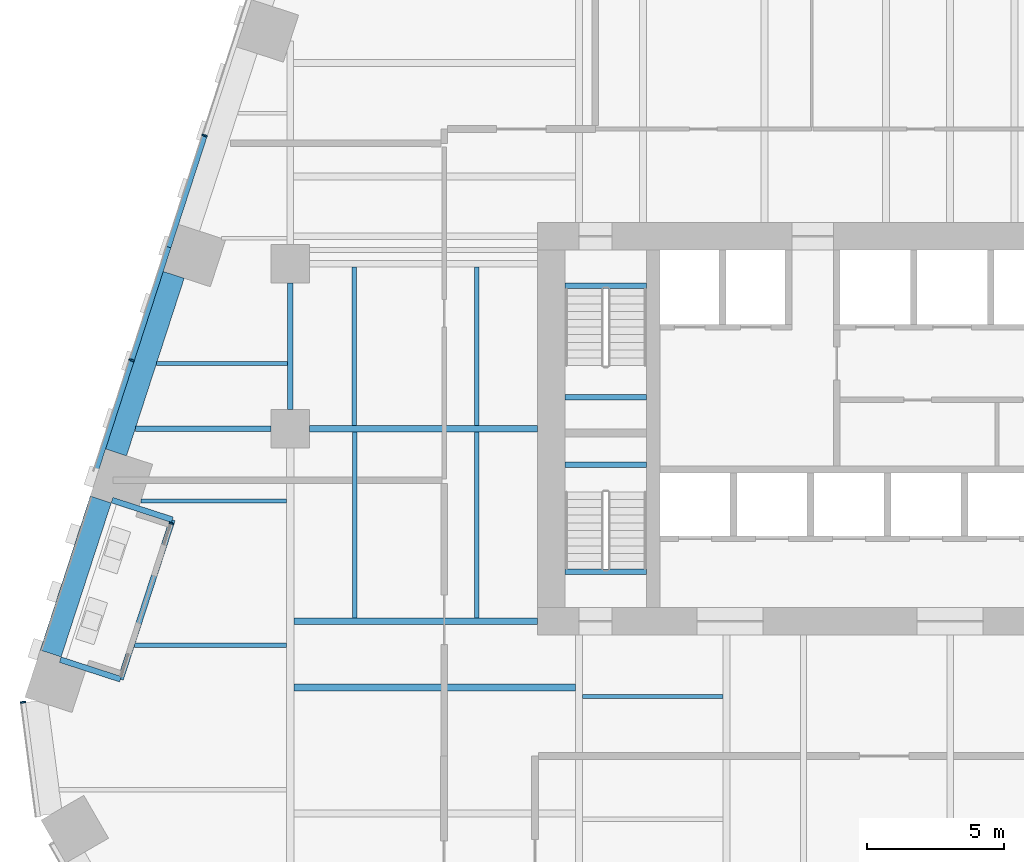
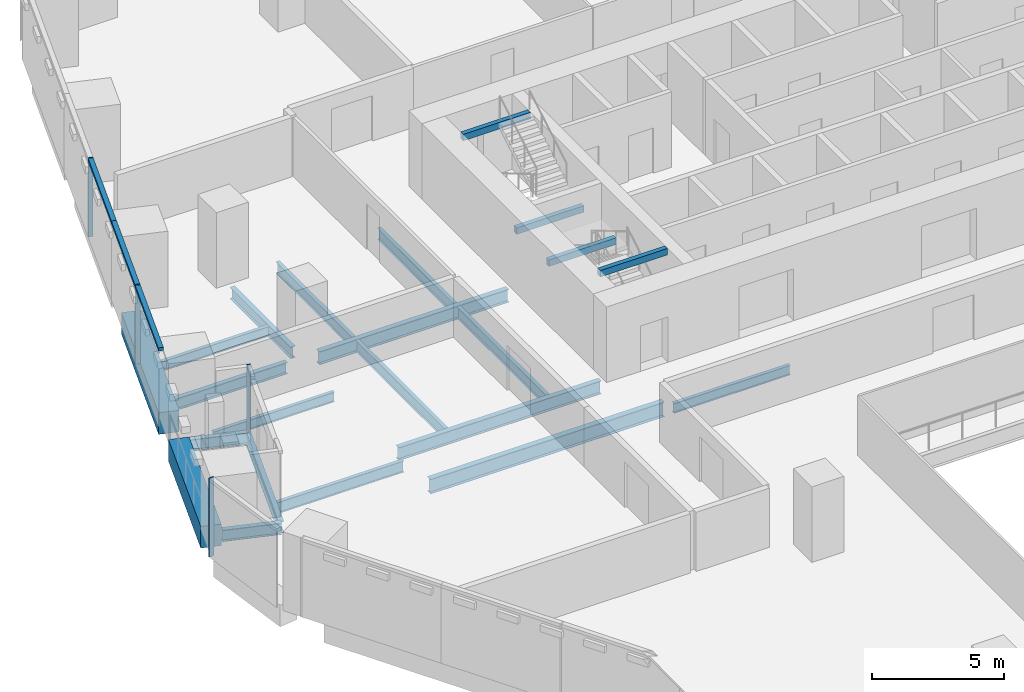
# One storey, part 9 of 31: 22 beams, 7 members, 3 elements without a shape of their own.
"""IFC4 building model written with IfcOpenShell, lengths in metres."""

from ifc_helpers import new_model, si_unit, direction, frame, origin, origin_2d, place, context, subcontext, project, spatial, rectangle, i_section, extrude, material, layer, layer_set, material_profile, profile_set, type_object, element, aggregate, save


model = new_model("IFC4")

# Units and contexts
model_context = context("Model", 3, precision=1e-05, world=origin(), true_north=direction((0.0, 1.0)))
body_context = subcontext(model_context, "Body", "Model", "MODEL_VIEW")
ifc_project = project(units=[si_unit("LENGTHUNIT", "METRE"), si_unit("AREAUNIT", "SQUARE_METRE"), si_unit("VOLUMEUNIT", "CUBIC_METRE"), si_unit("PLANEANGLEUNIT", "RADIAN"), si_unit("MASSUNIT", "GRAM", prefix="KILO")], contexts=[model_context])

# Site, building, storey
site_placement = place(None, origin())
site = spatial("IfcSite", under=ifc_project, at=site_placement, CompositionType="ELEMENT")
building_placement = place(site_placement, origin())
building = spatial("IfcBuilding", under=site, at=building_placement, Name="Isthmus Gate Tower", CompositionType="ELEMENT")
storey_placement = place(building_placement, frame((0.0, 0.0, 39.64990234375)))
storey = spatial("IfcBuildingStorey", under=building, at=storey_placement, Name="L07", CompositionType="ELEMENT", Elevation=39.64990234375)

# Curtain wall, members
ifc_material_1 = material(Name="Aluminium, pale champagne anodised", Category="aluminium")
ifc_layer_1 = layer(ifc_material_1, 0.199951171875)
ifc_layer_set_1 = layer_set([ifc_layer_1], Name="CW-1 UNITISED CURTAIN WALL 200 DEEP")
curtain_wall_type_1 = type_object("IfcCurtainWallType", Name="CW-1 UNITISED CURTAIN WALL 200 DEEP", PredefinedType="NOTDEFINED", material=ifc_layer_set_1)
curtain_wall_1_placement = place(storey_placement, origin())
curtain_wall_1 = element("IfcCurtainWall", 1, at=curtain_wall_1_placement, inside=storey, type_object=curtain_wall_type_1, Name="CW-1 NW L07", PredefinedType="NOTDEFINED")
ifc_material_2 = material(Name="Aluminium, pale champagne anodised", Category="aluminium")
ifc_material_profile_1 = material_profile(ifc_material_2, rectangle(XDim=0.06005859375, YDim=0.199951171875, at=origin_2d()), Name="60x200")
ifc_profile_set_1 = profile_set([ifc_material_profile_1], Name="Aluminium, pale champagne anodised")
member_type_1 = type_object("IfcMemberType", Name="CW-1 MULLION 60 X 200", PredefinedType="MULLION", material=ifc_profile_set_1)
member_1_placement = place(storey_placement, frame((-27.11474609375, 18.163818359375, 0.0), z_axis=(0.0, 0.0, 1.0), x_axis=(-0.309016994375, -0.951056516295, 0.0)))
member_1 = element("IfcMember", 2, at=member_1_placement, type_object=member_type_1, Name="CW-1 mullion", PredefinedType="MULLION", context=body_context, shape_type="SweptSolid", body=[
    extrude(rectangle(XDim=0.06005859375, YDim=0.199951171875, at=origin_2d()), origin(), (0.0, 0.0, 1.0), 3.650146484375),
])
member_2_placement = place(storey_placement, frame((-29.76904296875, 9.994873046875, 0.0), z_axis=(0.0, 0.0, 1.0), x_axis=(-0.309016994375, -0.951056516295, 0.0)))
member_2 = element("IfcMember", 3, at=member_2_placement, type_object=member_type_1, Name="CW-1 mullion", PredefinedType="MULLION", context=body_context, shape_type="SweptSolid", body=[
    extrude(rectangle(XDim=0.06005859375, YDim=0.199951171875, at=origin_2d()), origin(), (0.0, 0.0, 1.0), 3.650146484375),
])

# Curtain wall, member
curtain_wall_2_placement = place(storey_placement, origin())
curtain_wall_2 = element("IfcCurtainWall", 4, at=curtain_wall_2_placement, inside=storey, type_object=curtain_wall_type_1, Name="CW-1 NW-SW L07", PredefinedType="NOTDEFINED")
member_3_placement = place(storey_placement, frame((-33.722900390625, -2.44482421875, 0.0), z_axis=(0.0, 0.0, 1.0), x_axis=(0.129164534, -0.991623175988, 0.0)))
member_3 = element("IfcMember", 5, at=member_3_placement, type_object=member_type_1, Name="CW-1 mullion", PredefinedType="MULLION", context=body_context, shape_type="SweptSolid", body=[
    extrude(rectangle(XDim=0.06005859375, YDim=0.199951171875, at=origin_2d()), origin(), (0.0, 0.0, 1.0), 3.650146484375),
])
aggregate(curtain_wall_2, [member_3])

# Member
ifc_material_3 = material(Name="Aluminium, pale champagne anodised", Category="aluminium")
ifc_material_profile_2 = material_profile(ifc_material_3, rectangle(XDim=0.199951171875, YDim=0.14990234375, at=origin_2d()), Name="200x150")
ifc_profile_set_2 = profile_set([ifc_material_profile_2], Name="Aluminium, pale champagne anodised")
member_type_2 = type_object("IfcMemberType", Name="CW-1 TRANSOM 200 X 150", PredefinedType="USERDEFINED", material=ifc_profile_set_2)
member_4_placement = place(storey_placement, frame((-27.1240234375, 18.13525390625, 3.5751953125), z_axis=(-0.309023496777, -0.951054403512, 0.0), x_axis=(0.951054403512, -0.309023496777, 0.0)))
member_4 = element("IfcMember", 6, at=member_4_placement, type_object=member_type_2, Name="CW-1 transom", ObjectType="TRANSOM", PredefinedType="USERDEFINED", context=body_context, shape_type="SweptSolid", body=[
    extrude(rectangle(XDim=0.199951171875, YDim=0.14990234375, at=origin_2d()), origin(), (0.0, 0.0, 1.0), 4.234619140625),
])

member_5_placement = place(storey_placement, frame((-28.4326171875, 14.10791015625, 3.5751953125), z_axis=(-0.309021801109, -0.951054954479, 0.0), x_axis=(0.951054954479, -0.309021801109, 0.0)))
member_5 = element("IfcMember", 7, at=member_5_placement, type_object=member_type_2, Name="CW-1 transom", ObjectType="TRANSOM", PredefinedType="USERDEFINED", context=body_context, shape_type="SweptSolid", body=[
    extrude(rectangle(XDim=0.199951171875, YDim=0.14990234375, at=origin_2d()), origin(), (0.0, 0.0, 1.0), 4.294677734375),
])

member_6_placement = place(storey_placement, frame((-29.7783203125, 9.96630859375, 3.5751953125), z_axis=(-0.309023496777, -0.951054403512, 0.0), x_axis=(0.951054403512, -0.309023496777, 0.0)))
member_6 = element("IfcMember", 8, at=member_6_placement, type_object=member_type_2, Name="CW-1 transom", ObjectType="TRANSOM", PredefinedType="USERDEFINED", context=body_context, shape_type="SweptSolid", body=[
    extrude(rectangle(XDim=0.199951171875, YDim=0.14990234375, at=origin_2d()), origin(), (0.0, 0.0, 1.0), 4.234619140625),
])

aggregate(curtain_wall_1, [member_1, member_4, member_5, member_2, member_6])

# Curtain wall, member
ifc_material_4 = material(Name="Aluminium, pale champagne anodised", Category="aluminium")
ifc_layer_2 = layer(ifc_material_4, 0.14990234375)
ifc_layer_set_2 = layer_set([ifc_layer_2], Name="CW-6 LOGGIA BACK WALL GLAZING 150 DEEP")
curtain_wall_type_2 = type_object("IfcCurtainWallType", Name="CW-6 LOGGIA BACK WALL GLAZING 150 DEEP", PredefinedType="NOTDEFINED", material=ifc_layer_set_2)
curtain_wall_3_placement = place(storey_placement, origin())
curtain_wall_3 = element("IfcCurtainWall", 9, at=curtain_wall_3_placement, inside=storey, type_object=curtain_wall_type_2, Name="CW-6 NW L07", PredefinedType="NOTDEFINED")
ifc_material_5 = material(Name="Aluminium, pale champagne anodised", Category="aluminium")
ifc_material_profile_3 = material_profile(ifc_material_5, rectangle(XDim=0.06005859375, YDim=0.14990234375, at=origin_2d()), Name="60x150")
ifc_profile_set_3 = profile_set([ifc_material_profile_3], Name="Aluminium, pale champagne anodised")
member_type_3 = type_object("IfcMemberType", Name="CW-6 MULLION 60 X 150", PredefinedType="MULLION", material=ifc_profile_set_3)
member_7_placement = place(storey_placement, frame((-28.3310546875, 4.065673828125, 0.0), z_axis=(0.0, 0.0, 1.0), x_axis=(-0.309016994375, -0.951056516295, 0.0)))
member_7 = element("IfcMember", 10, at=member_7_placement, type_object=member_type_3, Name="CW-6 mullion", PredefinedType="MULLION", context=body_context, shape_type="SweptSolid", body=[
    extrude(rectangle(XDim=0.06005859375, YDim=0.14990234375, at=origin_2d()), origin(), (0.0, 0.0, 1.0), 3.050048828125),
])
aggregate(curtain_wall_3, [member_7])

# Beams
ifc_material_6 = material(Name="Concrete f'c 70 MPa", Category="concrete")
ifc_material_profile_4 = material_profile(ifc_material_6, rectangle(XDim=0.800048828125, YDim=1.0, at=origin_2d()), Name="RC 800X1000")
ifc_profile_set_4 = profile_set([ifc_material_profile_4], Name="Concrete f'c 70 MPa")
beam_type_1 = type_object("IfcBeamType", Name="RC SPANDREL 800 X 1000", PredefinedType="SPANDREL", material=ifc_profile_set_4)
beam_1_placement = place(storey_placement, frame((-32.70947265625, -0.672607421875, -0.5), z_axis=(0.309005457803, 0.951060264677, 0.0), x_axis=(-0.951060264677, 0.309005457803, 0.0)))
element("IfcBeam", 11, at=beam_1_placement, inside=storey, type_object=beam_type_1, Name="str-spandrel-L07-18", PredefinedType="SPANDREL", context=body_context, shape_type="SweptSolid", body=[
    extrude(rectangle(XDim=0.800048828125, YDim=1.0, at=origin_2d()), origin(), (0.0, 0.0, 1.0), 5.889404296875),
])
beam_2_placement = place(storey_placement, frame((-30.333251953125, 6.640380859375, -0.5), z_axis=(0.30900150794, 0.951061548004, 0.0), x_axis=(-0.951061548004, 0.30900150794, 0.0)))
element("IfcBeam", 12, at=beam_2_placement, inside=storey, type_object=beam_type_1, Name="str-spandrel-L07-19", PredefinedType="SPANDREL", context=body_context, shape_type="SweptSolid", body=[
    extrude(rectangle(XDim=0.800048828125, YDim=1.0, at=origin_2d()), origin(), (0.0, 0.0, 1.0), 6.789306640625),
])
ifc_material_7 = material(Name="Concrete f'c 40 MPa", Category="concrete")
ifc_material_profile_5 = material_profile(ifc_material_7, rectangle(XDim=0.199951171875, YDim=0.300048828125, at=origin_2d()), Name="STAIR LANDING BEAM RC 200 X 300")
ifc_profile_set_5 = profile_set([ifc_material_profile_5], Name="Concrete f'c 40 MPa")
beam_type_2 = type_object("IfcBeamType", Name="STAIR LANDING BEAM RC 200 X 300", PredefinedType="BEAM", material=ifc_profile_set_5)
for number, where, z_axis, x_axis, name in (
    (13, (-14.0, 8.64990234375, 1.47509765625), (1.0, 0.0, 0.0), (0.0, 1.0, 0.0), "L07 ST1 landing beam 1"),
    (14, (-14.0, 12.7001953125, 3.35009765625), (1.0, 0.0, 0.0), (0.0, 1.0, 0.0), "L07 ST1 floor-edge seat beam"),
    (15, (-14.0, 6.199951171875, 1.47509765625), (1.0, 0.0, 0.0), (0.0, 1.0, 0.0), "L07 ST7 landing beam 1"),
    (16, (-14.0, 2.2998046875, 3.35009765625), (1.0, 0.0, 0.0), (0.0, 1.0, 0.0), "L07 ST7 floor-edge seat beam"),
):
    element("IfcBeam", number, at=place(storey_placement, frame(where, z_axis=z_axis, x_axis=x_axis)), inside=storey, type_object=beam_type_2, Name=name, PredefinedType="BEAM", context=body_context, shape_type="SweptSolid", body=[
        extrude(rectangle(XDim=0.199951171875, YDim=0.300048828125, at=origin_2d()), origin(), (0.0, 0.0, 1.0), 2.949951171875),
    ])
ifc_material_8 = material(Name="Structural steel ASTM A992 Gr 50", Category="steel")
ifc_material_profile_6 = material_profile(ifc_material_8, i_section(OverallWidth=0.15234375, OverallDepth=0.45068359375, WebThickness=0.0078125, FlangeThickness=0.010986328125, at=origin_2d()), Name="W18X35")
ifc_profile_set_6 = profile_set([ifc_material_profile_6], Name="Structural steel ASTM A992 Gr 50")
beam_type_3 = type_object("IfcBeamType", Name="STEEL FLOOR BEAM W18X35", PredefinedType="JOIST", material=ifc_profile_set_6)
beam_3_placement = place(storey_placement, frame((-29.434814453125, 4.875, -0.375244140625), z_axis=(1.0, 0.0, 0.0), x_axis=(0.0, 1.0, 0.0)))
element("IfcBeam", 17, at=beam_3_placement, inside=storey, type_object=beam_type_3, Name="str-beam-L07-01-03", PredefinedType="JOIST", context=body_context, shape_type="SweptSolid", body=[
    extrude(i_section(OverallWidth=0.15234375, OverallDepth=0.45068359375, WebThickness=0.0078125, FlangeThickness=0.010986328125, at=origin_2d()), origin(), (0.0, 0.0, 1.0), 5.301513671875),
])
beam_4_placement = place(storey_placement, frame((-28.860595703125, 9.87890625, -0.375244140625), z_axis=(1.0, 0.0, 0.0), x_axis=(0.0, 1.0, 0.0)))
element("IfcBeam", 18, at=beam_4_placement, inside=storey, type_object=beam_type_3, Name="str-beam-L07-02-00", PredefinedType="JOIST", context=body_context, shape_type="SweptSolid", body=[
    extrude(i_section(OverallWidth=0.15234375, OverallDepth=0.45068359375, WebThickness=0.0078125, FlangeThickness=0.010986328125, at=origin_2d()), origin(), (0.0, 0.0, 1.0), 4.755859375),
])
beam_5_placement = place(storey_placement, frame((-13.3681640625, -2.232421875, -0.375244140625), z_axis=(1.0, 0.0, 0.0), x_axis=(0.0, 1.0, 0.0)))
element("IfcBeam", 19, at=beam_5_placement, inside=storey, type_object=beam_type_3, Name="str-beam-L07-13-02", PredefinedType="JOIST", context=body_context, shape_type="SweptSolid", body=[
    extrude(i_section(OverallWidth=0.15234375, OverallDepth=0.45068359375, WebThickness=0.0078125, FlangeThickness=0.010986328125, at=origin_2d()), origin(), (0.0, 0.0, 1.0), 5.1015625),
])
ifc_material_9 = material(Name="Structural steel ASTM A992 Gr 50", Category="steel")
ifc_material_profile_7 = material_profile(ifc_material_9, i_section(OverallWidth=0.1650390625, OverallDepth=0.52392578125, WebThickness=0.009521484375, FlangeThickness=0.010986328125, at=origin_2d()), Name="W21X44")
ifc_profile_set_7 = profile_set([ifc_material_profile_7], Name="Structural steel ASTM A992 Gr 50")
beam_type_4 = type_object("IfcBeamType", Name="STEEL FLOOR BEAM W21X44", PredefinedType="JOIST", material=ifc_profile_set_7)
beam_6_placement = place(storey_placement, frame((-29.65869140625, -0.375, -0.411865234375), z_axis=(1.0, 0.0, 0.0), x_axis=(0.0, 1.0, 0.0)))
element("IfcBeam", 20, at=beam_6_placement, inside=storey, type_object=beam_type_4, Name="str-beam-L07-01-02", PredefinedType="JOIST", context=body_context, shape_type="SweptSolid", body=[
    extrude(i_section(OverallWidth=0.1650390625, OverallDepth=0.52392578125, WebThickness=0.009521484375, FlangeThickness=0.010986328125, at=origin_2d()), origin(), (0.0, 0.0, 1.0), 5.525390625),
])
for number, where, z_axis, x_axis, name in (
    (21, (-21.64990234375, 0.6142578125, -0.411865234375), (0.0, 1.0, 0.0), (-1.0, 0.0, 0.0), "str-beam-L07-03-00"),
    (22, (-17.216552734375, 0.6142578125, -0.411865234375), (0.0, 1.0, 0.0), (-1.0, 0.0, 0.0), "str-beam-L07-03-01"),
):
    element("IfcBeam", number, at=place(storey_placement, frame(where, z_axis=z_axis, x_axis=x_axis)), inside=storey, type_object=beam_type_4, Name=name, PredefinedType="JOIST", context=body_context, shape_type="SweptSolid", body=[
        extrude(i_section(OverallWidth=0.1650390625, OverallDepth=0.52392578125, WebThickness=0.009521484375, FlangeThickness=0.010986328125, at=origin_2d()), origin(), (0.0, 0.0, 1.0), 6.771484375),
    ])
for number, where, z_axis, x_axis, name in (
    (23, (-21.67138671875, 7.6142578125, -0.411865234375), (0.0, 1.0, 0.0), (-1.0, 0.0, 0.0), "str-beam-L07-04-00"),
    (24, (-17.223876953125, 7.6142578125, -0.411865234375), (0.0, 1.0, 0.0), (-1.0, 0.0, 0.0), "str-beam-L07-04-01"),
):
    element("IfcBeam", number, at=place(storey_placement, frame(where, z_axis=z_axis, x_axis=x_axis)), inside=storey, type_object=beam_type_4, Name=name, PredefinedType="JOIST", context=body_context, shape_type="SweptSolid", body=[
        extrude(i_section(OverallWidth=0.1650390625, OverallDepth=0.52392578125, WebThickness=0.009521484375, FlangeThickness=0.010986328125, at=origin_2d()), origin(), (0.0, 0.0, 1.0), 5.771484375),
    ])
ifc_material_10 = material(Name="Structural steel ASTM A992 Gr 50", Category="steel")
ifc_material_profile_8 = material_profile(ifc_material_10, i_section(OverallWidth=0.25390625, OverallDepth=0.679443359375, WebThickness=0.010986328125, FlangeThickness=0.015869140625, at=origin_2d()), Name="W27X84")
ifc_profile_set_8 = profile_set([ifc_material_profile_8], Name="Structural steel ASTM A992 Gr 50")
beam_type_5 = type_object("IfcBeamType", Name="STEEL FLOOR BEAM W27X84", PredefinedType="JOIST", material=ifc_profile_set_8)
beam_7_placement = place(storey_placement, frame((-23.86669921875, -1.90625, -0.489501953125), z_axis=(1.0, 0.0, 0.0), x_axis=(0.0, 1.0, 0.0)))
element("IfcBeam", 25, at=beam_7_placement, inside=storey, type_object=beam_type_5, Name="str-beam-L07-08-02", PredefinedType="JOIST", context=body_context, shape_type="SweptSolid", body=[
    extrude(i_section(OverallWidth=0.25390625, OverallDepth=0.679443359375, WebThickness=0.010986328125, FlangeThickness=0.015869140625, at=origin_2d()), origin(), (0.0, 0.0, 1.0), 10.23486328125),
])
ifc_material_11 = material(Name="Structural steel ASTM A992 Gr 50", Category="steel")
ifc_material_profile_9 = material_profile(ifc_material_11, i_section(OverallWidth=0.20947265625, OverallDepth=0.533447265625, WebThickness=0.009521484375, FlangeThickness=0.015869140625, at=origin_2d()), Name="W21X62")
ifc_profile_set_9 = profile_set([ifc_material_profile_9], Name="Structural steel ASTM A992 Gr 50")
beam_type_6 = type_object("IfcBeamType", Name="STEEL GIRDER W21X62", PredefinedType="BEAM", material=ifc_profile_set_9)
beam_8_placement = place(storey_placement, frame((-29.633544921875, 7.5, -0.41650390625), z_axis=(1.0, 0.0, 0.0), x_axis=(0.0, 1.0, 0.0)))
element("IfcBeam", 26, at=beam_8_placement, inside=storey, type_object=beam_type_6, Name="str-girder-L07-09", PredefinedType="BEAM", context=body_context, shape_type="SweptSolid", body=[
    extrude(i_section(OverallWidth=0.20947265625, OverallDepth=0.533447265625, WebThickness=0.009521484375, FlangeThickness=0.015869140625, at=origin_2d()), origin(), (0.0, 0.0, 1.0), 4.93359375),
])
beam_9_placement = place(storey_placement, frame((-24.0, 8.199951171875, -0.41650390625), z_axis=(0.0, 1.0, 0.0), x_axis=(-1.0, 0.0, 0.0)))
element("IfcBeam", 27, at=beam_9_placement, inside=storey, type_object=beam_type_6, Name="str-girder-L07-21", PredefinedType="BEAM", context=body_context, shape_type="SweptSolid", body=[
    extrude(i_section(OverallWidth=0.20947265625, OverallDepth=0.533447265625, WebThickness=0.009521484375, FlangeThickness=0.015869140625, at=origin_2d()), origin(), (0.0, 0.0, 1.0), 4.60009765625),
])
ifc_material_12 = material(Name="Structural steel ASTM A992 Gr 50", Category="steel")
ifc_material_profile_10 = material_profile(ifc_material_12, i_section(OverallWidth=0.228515625, OverallDepth=0.6064453125, WebThickness=0.010986328125, FlangeThickness=0.017578125, at=origin_2d()), Name="W24X76")
ifc_profile_set_10 = profile_set([ifc_material_profile_10], Name="Structural steel ASTM A992 Gr 50")
beam_type_7 = type_object("IfcBeamType", Name="STEEL GIRDER W24X76", PredefinedType="BEAM", material=ifc_profile_set_10)
beam_10_placement = place(storey_placement, frame((-23.300048828125, 7.5, -0.453125), z_axis=(1.0, 0.0, 0.0), x_axis=(0.0, 1.0, 0.0)))
element("IfcBeam", 28, at=beam_10_placement, inside=storey, type_object=beam_type_7, Name="str-girder-L07-10", PredefinedType="BEAM", context=body_context, shape_type="SweptSolid", body=[
    extrude(i_section(OverallWidth=0.228515625, OverallDepth=0.6064453125, WebThickness=0.010986328125, FlangeThickness=0.017578125, at=origin_2d()), origin(), (0.0, 0.0, 1.0), 8.300048828125),
])
beam_11_placement = place(storey_placement, frame((-15.0, 0.5, -0.453125), z_axis=(-1.0, 0.0, 0.0), x_axis=(0.0, -1.0, 0.0)))
element("IfcBeam", 29, at=beam_11_placement, inside=storey, type_object=beam_type_7, Name="str-girder-L07-38", PredefinedType="BEAM", context=body_context, shape_type="SweptSolid", body=[
    extrude(i_section(OverallWidth=0.228515625, OverallDepth=0.6064453125, WebThickness=0.010986328125, FlangeThickness=0.017578125, at=origin_2d()), origin(), (0.0, 0.0, 1.0), 8.86669921875),
])
ifc_material_13 = material(Name="Structural steel ASTM A992 Gr 50", Category="steel")
ifc_material_profile_11 = material_profile(ifc_material_13, i_section(OverallWidth=0.20947265625, OverallDepth=0.533447265625, WebThickness=0.009521484375, FlangeThickness=0.015869140625, at=origin_2d()), Name="W21X62")
ifc_profile_set_11 = profile_set([ifc_material_profile_11], Name="Structural steel ASTM A992 Gr 50")
beam_type_8 = type_object("IfcBeamType", Name="STEEL TRIMMER W21X62", PredefinedType="BEAM", material=ifc_profile_set_11)
beam_12_placement = place(storey_placement, frame((-28.284912109375, 4.1923828125, -0.41650390625), z_axis=(-0.309000984958, -0.951061717921, 0.0), x_axis=(0.951061717921, -0.309000984958, 0.0)))
element("IfcBeam", 30, at=beam_12_placement, inside=storey, type_object=beam_type_8, Name="str-loggiatrim-L07-02-B", PredefinedType="BEAM", context=body_context, shape_type="SweptSolid", body=[
    extrude(i_section(OverallWidth=0.20947265625, OverallDepth=0.533447265625, WebThickness=0.009521484375, FlangeThickness=0.015869140625, at=origin_2d()), origin(), (0.0, 0.0, 1.0), 6.098876953125),
])
for number, where, z_axis, x_axis, name in (
    (31, (-30.476806640625, 4.904541015625, -0.41650390625), (0.951060533358, -0.309004630854, 0.0), (0.309004630854, 0.951060533358, 0.0), "str-loggiatrim-L07-02-A"),
    (32, (-32.361328125, -0.895751953125, -0.41650390625), (0.951060533358, -0.309004630854, 0.0), (0.309004630854, 0.951060533358, 0.0), "str-loggiatrim-L07-02-C"),
):
    element("IfcBeam", number, at=place(storey_placement, frame(where, z_axis=z_axis, x_axis=x_axis)), inside=storey, type_object=beam_type_8, Name=name, PredefinedType="BEAM", context=body_context, shape_type="SweptSolid", body=[
        extrude(i_section(OverallWidth=0.20947265625, OverallDepth=0.533447265625, WebThickness=0.009521484375, FlangeThickness=0.015869140625, at=origin_2d()), origin(), (0.0, 0.0, 1.0), 2.3046875),
    ])

save(model, "model.ifc")
